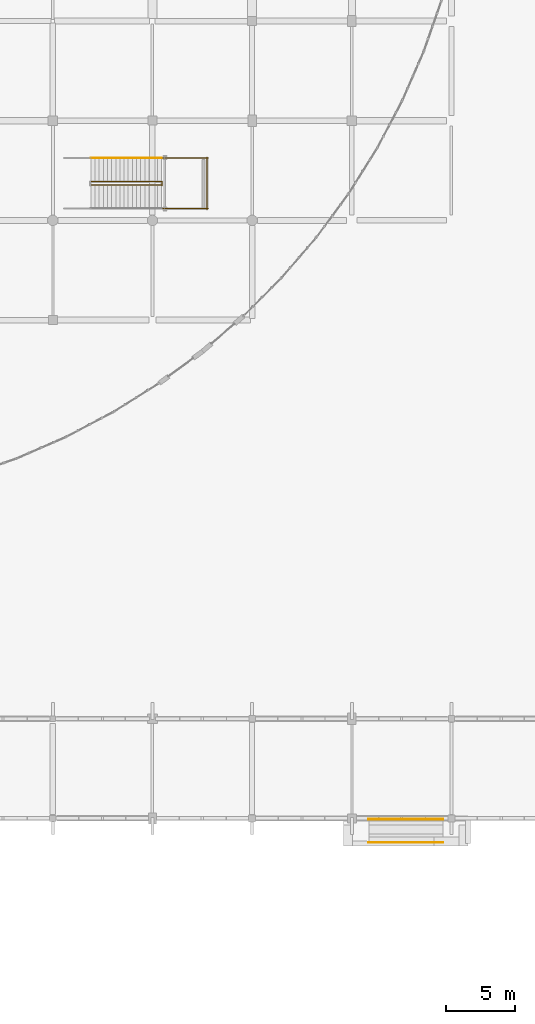
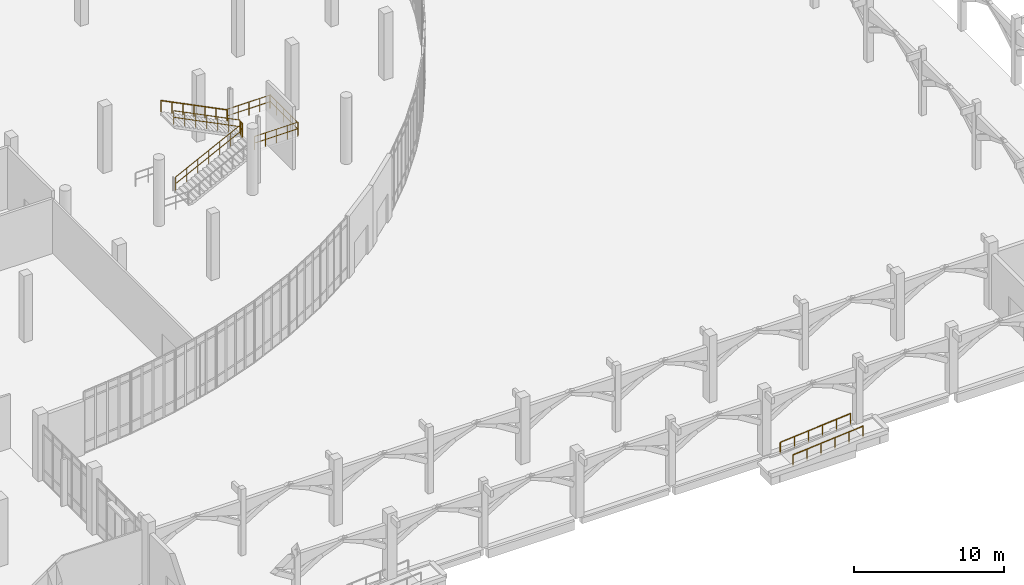
# One storey, part 102 of 110: 9 railings.
"""IFC4 building model written with IfcOpenShell, lengths in metres."""

from ifc_helpers import new_model, si_unit, direction, frame, origin, origin_2d, place, context, subcontext, project, spatial, circle, extrude, material, type_object, element, save


model = new_model("IFC4")

# Units and contexts
model_context = context("Model", 3, precision=1e-05, world=origin(), true_north=direction((0.0, 1.0)))
body_context = subcontext(model_context, "Body", "Model", "MODEL_VIEW")
ifc_project = project(units=[si_unit("LENGTHUNIT", "METRE"), si_unit("AREAUNIT", "SQUARE_METRE"), si_unit("VOLUMEUNIT", "CUBIC_METRE"), si_unit("PLANEANGLEUNIT", "RADIAN"), si_unit("MASSUNIT", "GRAM", prefix="KILO")], contexts=[model_context])

# Site, building, storey
site_placement = place(None, origin())
site = spatial("IfcSite", under=ifc_project, at=site_placement, CompositionType="ELEMENT")
building_placement = place(site_placement, origin())
building = spatial("IfcBuilding", under=site, at=building_placement, Name="Kalluvel Institute of Natural Sciences", CompositionType="ELEMENT")
storey_placement = place(building_placement, origin())
storey = spatial("IfcBuildingStorey", under=building, at=storey_placement, Name="L00", CompositionType="ELEMENT", Elevation=0.0)

# Railings
ifc_material = material(Name="Galvanized Fire-Rated Steel", Category="steel")
railing_type_1 = type_object("IfcRailingType", Name="RL-GD-STAIR", PredefinedType="BALUSTRADE", material=ifc_material)
railing_1_placement = place(storey_placement, frame((59.949951171875, 74.14990234375, 0.14990234375)))
element("IfcRailing", 1, at=railing_1_placement, inside=storey, type_object=railing_type_1, Name="L00 ST6 stair guard 1", PredefinedType="BALUSTRADE", context=body_context, shape_type="SweptSolid", body=[
    extrude(circle(Radius=0.02392578125, at=origin_2d()), frame((0.0, 0.0, 1.09619140625), z_axis=(0.894427191, 0.0, 0.4472135955), x_axis=(0.0, 1.0, 0.0)), (0.0, 0.0, 1.0), 5.7021484375),
    extrude(circle(Radius=0.02392578125, at=origin_2d()), frame((0.0, 0.0, 0.56005859375), z_axis=(0.894427191, 0.0, 0.4472135955), x_axis=(0.0, 1.0, 0.0)), (0.0, 0.0, 1.0), 5.7021484375),
    extrude(circle(Radius=0.02099609375, at=origin_2d()), origin(), (0.0, 0.0, 1.0), 1.072021484375),
    extrude(circle(Radius=0.02099609375, at=origin_2d()), frame((0.85009765625, 0.0, 0.425048828125)), (0.0, 0.0, 1.0), 1.072021484375),
    extrude(circle(Radius=0.02099609375, at=origin_2d()), frame((1.699951171875, 0.0, 0.85009765625)), (0.0, 0.0, 1.0), 1.072021484375),
    extrude(circle(Radius=0.02099609375, at=origin_2d()), frame((2.550048828125, 0.0, 1.27490234375)), (0.0, 0.0, 1.0), 1.072021484375),
    extrude(circle(Radius=0.02099609375, at=origin_2d()), frame((3.400146484375, 0.0, 1.699951171875)), (0.0, 0.0, 1.0), 1.072021484375),
    extrude(circle(Radius=0.02099609375, at=origin_2d()), frame((4.25, 0.0, 2.125)), (0.0, 0.0, 1.0), 1.072021484375),
    extrude(circle(Radius=0.02099609375, at=origin_2d()), frame((5.10009765625, 0.0, 2.550048828125)), (0.0, 0.0, 1.0), 1.072021484375),
])
railing_2_placement = place(storey_placement, frame((65.10009765625, 74.135009765625, 2.699951171875)))
element("IfcRailing", 2, at=railing_2_placement, inside=storey, type_object=railing_type_1, Name="L00 ST6 stair guard 2", PredefinedType="BALUSTRADE", context=body_context, shape_type="SweptSolid", body=[
    extrude(circle(Radius=0.02392578125, at=origin_2d()), frame((0.0, 0.0, 1.09619140625), z_axis=(0.0, 1.0, 0.0), x_axis=(-1.0, 0.0, 0.0)), (0.0, 0.0, 1.0), 0.280029296875),
    extrude(circle(Radius=0.02392578125, at=origin_2d()), frame((0.0, 0.0, 0.56005859375), z_axis=(0.0, 1.0, 0.0), x_axis=(-1.0, 0.0, 0.0)), (0.0, 0.0, 1.0), 0.280029296875),
    extrude(circle(Radius=0.02099609375, at=origin_2d()), origin(), (0.0, 0.0, 1.0), 1.072021484375),
    extrude(circle(Radius=0.02099609375, at=origin_2d()), frame((0.0, 0.280029296875, 0.0)), (0.0, 0.0, 1.0), 1.072021484375),
])
for number, where, name in (
    (3, (65.050048828125, 72.449951171875, 2.699951171875), "L00 ST6 stair guard 3"),
    (4, (65.050048828125, 76.10009765625, 2.699951171875), "L00 ST6 stair guard 4"),
):
    element("IfcRailing", number, at=place(storey_placement, frame(where)), inside=storey, type_object=railing_type_1, Name=name, PredefinedType="BALUSTRADE", context=body_context, shape_type="SweptSolid", body=[
        extrude(circle(Radius=0.02392578125, at=origin_2d()), frame((0.0, 0.0, 1.09619140625), z_axis=(1.0, 0.0, 0.0), x_axis=(0.0, 1.0, 0.0)), (0.0, 0.0, 1.0), 3.349853515625),
        extrude(circle(Radius=0.02392578125, at=origin_2d()), frame((0.0, 0.0, 0.56005859375), z_axis=(1.0, 0.0, 0.0), x_axis=(0.0, 1.0, 0.0)), (0.0, 0.0, 1.0), 3.349853515625),
        extrude(circle(Radius=0.02099609375, at=origin_2d()), origin(), (0.0, 0.0, 1.0), 1.072021484375),
        extrude(circle(Radius=0.02099609375, at=origin_2d()), frame((0.83740234375, 0.0, 0.0)), (0.0, 0.0, 1.0), 1.072021484375),
        extrude(circle(Radius=0.02099609375, at=origin_2d()), frame((1.6748046875, 0.0, 0.0)), (0.0, 0.0, 1.0), 1.072021484375),
        extrude(circle(Radius=0.02099609375, at=origin_2d()), frame((2.512451171875, 0.0, 0.0)), (0.0, 0.0, 1.0), 1.072021484375),
        extrude(circle(Radius=0.02099609375, at=origin_2d()), frame((3.349853515625, 0.0, 0.0)), (0.0, 0.0, 1.0), 1.072021484375),
    ])
railing_3_placement = place(storey_placement, frame((68.35009765625, 72.39990234375, 2.699951171875)))
element("IfcRailing", 5, at=railing_3_placement, inside=storey, type_object=railing_type_1, Name="L00 ST6 stair guard 5", PredefinedType="BALUSTRADE", context=body_context, shape_type="SweptSolid", body=[
    extrude(circle(Radius=0.02392578125, at=origin_2d()), frame((0.0, 0.0, 1.09619140625), z_axis=(0.0, 1.0, 0.0), x_axis=(-1.0, 0.0, 0.0)), (0.0, 0.0, 1.0), 3.75),
    extrude(circle(Radius=0.02392578125, at=origin_2d()), frame((0.0, 0.0, 0.56005859375), z_axis=(0.0, 1.0, 0.0), x_axis=(-1.0, 0.0, 0.0)), (0.0, 0.0, 1.0), 3.75),
    extrude(circle(Radius=0.02099609375, at=origin_2d()), origin(), (0.0, 0.0, 1.0), 1.072021484375),
    extrude(circle(Radius=0.02099609375, at=origin_2d()), frame((0.0, 0.9375, 0.0)), (0.0, 0.0, 1.0), 1.072021484375),
    extrude(circle(Radius=0.02099609375, at=origin_2d()), frame((0.0, 1.875, 0.0)), (0.0, 0.0, 1.0), 1.072021484375),
    extrude(circle(Radius=0.02099609375, at=origin_2d()), frame((0.0, 2.8125, 0.0)), (0.0, 0.0, 1.0), 1.072021484375),
    extrude(circle(Radius=0.02099609375, at=origin_2d()), frame((0.0, 3.75, 0.0)), (0.0, 0.0, 1.0), 1.072021484375),
])
railing_4_placement = place(storey_placement, frame((65.050048828125, 74.39990234375, 2.85009765625)))
element("IfcRailing", 6, at=railing_4_placement, inside=storey, type_object=railing_type_1, Name="L00 ST6 stair guard 6", PredefinedType="BALUSTRADE", context=body_context, shape_type="SweptSolid", body=[
    extrude(circle(Radius=0.02392578125, at=origin_2d()), frame((0.0, 0.0, 1.09619140625), z_axis=(-0.89444431709, 0.0, 0.44717934168), x_axis=(0.0, -1.0, 0.0)), (0.0, 0.0, 1.0), 5.701904296875),
    extrude(circle(Radius=0.02392578125, at=origin_2d()), frame((0.0, 0.0, 0.56005859375), z_axis=(-0.89444431709, 0.0, 0.44717934168), x_axis=(0.0, -1.0, 0.0)), (0.0, 0.0, 1.0), 5.701904296875),
    extrude(circle(Radius=0.02099609375, at=origin_2d()), origin(), (0.0, 0.0, 1.0), 1.072021484375),
    extrude(circle(Radius=0.02099609375, at=origin_2d()), frame((-0.85009765625, 0.0, 0.425048828125)), (0.0, 0.0, 1.0), 1.072021484375),
    extrude(circle(Radius=0.02099609375, at=origin_2d()), frame((-1.699951171875, 0.0, 0.849853515625)), (0.0, 0.0, 1.0), 1.072021484375),
    extrude(circle(Radius=0.02099609375, at=origin_2d()), frame((-2.550048828125, 0.0, 1.27490234375)), (0.0, 0.0, 1.0), 1.072021484375),
    extrude(circle(Radius=0.02099609375, at=origin_2d()), frame((-3.400146484375, 0.0, 1.699951171875)), (0.0, 0.0, 1.0), 1.072021484375),
    extrude(circle(Radius=0.02099609375, at=origin_2d()), frame((-4.25, 0.0, 2.124755859375)), (0.0, 0.0, 1.0), 1.072021484375),
    extrude(circle(Radius=0.02099609375, at=origin_2d()), frame((-5.10009765625, 0.0, 2.5498046875)), (0.0, 0.0, 1.0), 1.072021484375),
])
railing_type_2 = type_object("IfcRailingType", Name="RL-HR-RAMP", PredefinedType="HANDRAIL", material=ifc_material)
for number, where, name in (
    (7, (80.0, 26.659912109375, -0.449951171875), "R3 accessible ramp handrail 1"),
    (8, (80.0, 28.340087890625, -0.449951171875), "R3 accessible ramp handrail 2"),
):
    element("IfcRailing", number, at=place(storey_placement, frame(where)), inside=storey, type_object=railing_type_2, Name=name, PredefinedType="HANDRAIL", context=body_context, shape_type="SweptSolid", body=[
        extrude(circle(Radius=0.02392578125, at=origin_2d()), frame((0.0, 0.0, 0.89599609375), z_axis=(0.996546379678, 0.0, 0.083038022323), x_axis=(0.0, 1.0, 0.0)), (0.0, 0.0, 1.0), 5.418701171875),
        extrude(circle(Radius=0.02099609375, at=origin_2d()), origin(), (0.0, 0.0, 1.0), 0.871826171875),
        extrude(circle(Radius=0.02099609375, at=origin_2d()), frame((1.080078125, 0.0, 0.090087890625)), (0.0, 0.0, 1.0), 0.871826171875),
        extrude(circle(Radius=0.02099609375, at=origin_2d()), frame((2.159912109375, 0.0, 0.179931640625)), (0.0, 0.0, 1.0), 0.871826171875),
        extrude(circle(Radius=0.02099609375, at=origin_2d()), frame((3.239990234375, 0.0, 0.27001953125)), (0.0, 0.0, 1.0), 0.871826171875),
        extrude(circle(Radius=0.02099609375, at=origin_2d()), frame((4.31982421875, 0.0, 0.35986328125)), (0.0, 0.0, 1.0), 0.871826171875),
        extrude(circle(Radius=0.02099609375, at=origin_2d()), frame((5.39990234375, 0.0, 0.449951171875)), (0.0, 0.0, 1.0), 0.871826171875),
    ])
railing_type_3 = type_object("IfcRailingType", Name="RL-HR-STAIR", PredefinedType="HANDRAIL", material=ifc_material)
railing_5_placement = place(storey_placement, frame((65.050048828125, 76.10009765625, 2.85009765625)))
element("IfcRailing", 9, at=railing_5_placement, inside=storey, type_object=railing_type_3, Name="L00 ST6 stair handrail 2", PredefinedType="HANDRAIL", context=body_context, shape_type="SweptSolid", body=[
    extrude(circle(Radius=0.02392578125, at=origin_2d()), frame((0.0, 0.0, 0.89599609375), z_axis=(-0.89444431709, 0.0, 0.44717934168), x_axis=(0.0, -1.0, 0.0)), (0.0, 0.0, 1.0), 5.701904296875),
    extrude(circle(Radius=0.02099609375, at=origin_2d()), origin(), (0.0, 0.0, 1.0), 0.871826171875),
    extrude(circle(Radius=0.02099609375, at=origin_2d()), frame((-0.85009765625, 0.0, 0.425048828125)), (0.0, 0.0, 1.0), 0.871826171875),
    extrude(circle(Radius=0.02099609375, at=origin_2d()), frame((-1.699951171875, 0.0, 0.849853515625)), (0.0, 0.0, 1.0), 0.871826171875),
    extrude(circle(Radius=0.02099609375, at=origin_2d()), frame((-2.550048828125, 0.0, 1.27490234375)), (0.0, 0.0, 1.0), 0.871826171875),
    extrude(circle(Radius=0.02099609375, at=origin_2d()), frame((-3.400146484375, 0.0, 1.699951171875)), (0.0, 0.0, 1.0), 0.871826171875),
    extrude(circle(Radius=0.02099609375, at=origin_2d()), frame((-4.25, 0.0, 2.124755859375)), (0.0, 0.0, 1.0), 0.871826171875),
    extrude(circle(Radius=0.02099609375, at=origin_2d()), frame((-5.10009765625, 0.0, 2.5498046875)), (0.0, 0.0, 1.0), 0.871826171875),
])

save(model, "model.ifc")
